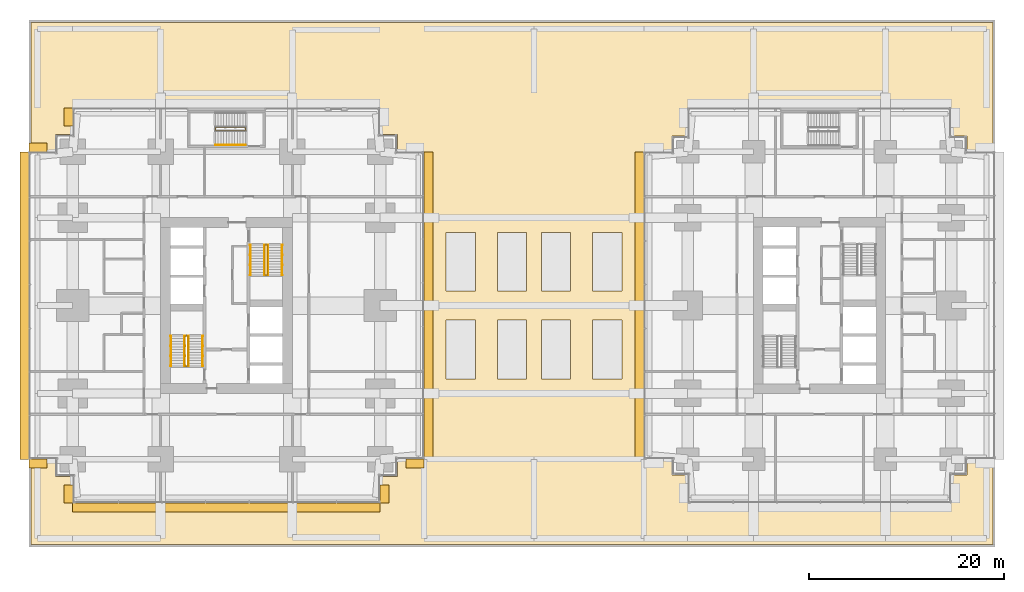
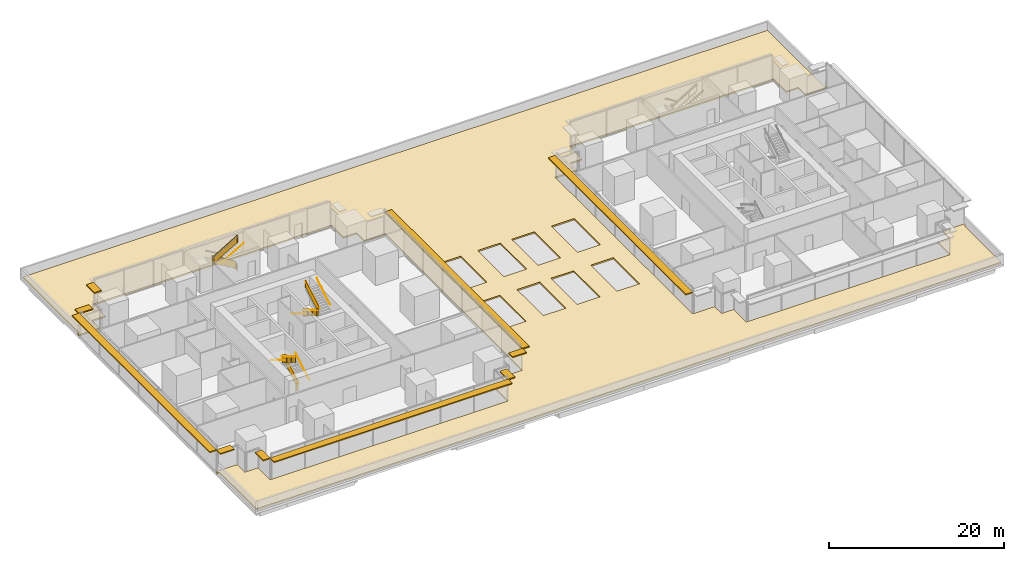
# One storey, part 32 of 34: 12 railings, 10 shading devices, 1 covering.
"""IFC4 building model written with IfcOpenShell, lengths in metres."""

from ifc_helpers import new_model, si_unit, direction, frame, origin, origin_2d, place, context, subcontext, project, spatial, polyline, rectangle, circle, outline, extrude, material, layer, layer_set, type_object, element, save


model = new_model("IFC4")

# Units and contexts
model_context = context("Model", 3, precision=1e-05, world=origin(), true_north=direction((0.0, 1.0)))
body_context = subcontext(model_context, "Body", "Model", "MODEL_VIEW")
ifc_project = project(units=[si_unit("LENGTHUNIT", "METRE"), si_unit("AREAUNIT", "SQUARE_METRE"), si_unit("VOLUMEUNIT", "CUBIC_METRE"), si_unit("PLANEANGLEUNIT", "RADIAN"), si_unit("MASSUNIT", "GRAM", prefix="KILO")], contexts=[model_context])

# Site, building, storey
site_placement = place(None, origin())
site = spatial("IfcSite", under=ifc_project, at=site_placement, CompositionType="ELEMENT")
building_placement = place(site_placement, origin())
building = spatial("IfcBuilding", under=site, at=building_placement, Name="Namib Vertical Campus", CompositionType="ELEMENT")
storey_placement = place(building_placement, frame((0.0, 0.0, 21.0)))
storey = spatial("IfcBuildingStorey", under=building, at=storey_placement, Name="L04", CompositionType="ELEMENT", Elevation=21.0)

# Railings
ifc_material_1 = material(Name="Steel handrail", Category="steel")
railing_type_1 = type_object("IfcRailingType", Name="Handrail 900", PredefinedType="HANDRAIL", material=ifc_material_1)
railing_1_placement = place(storey_placement, frame((17.800048828125, 14.050048828125, 0.166748046875)))
element("IfcRailing", 1, at=railing_1_placement, inside=storey, type_object=railing_type_1, Name="Handrail HR1 A-S1 L04 1", PredefinedType="HANDRAIL", context=body_context, shape_type="SweptSolid", body=[
    extrude(circle(Radius=0.02392578125, at=origin_2d()), frame((0.0, 0.0, 0.8759765625), z_axis=(0.0, 0.859290745958, 0.51148745235), x_axis=(-1.0, 0.0, 0.0)), (0.0, 0.0, 1.0), 3.584228515625),
    extrude(circle(Radius=0.008056640625, at=origin_2d()), frame((0.0, 0.0, 0.8759765625), z_axis=(1.0, 0.0, 0.0), x_axis=(0.0, 0.0, 1.0)), (0.0, 0.0, 1.0), 0.050048828125),
    extrude(circle(Radius=0.008056640625, at=origin_2d()), frame((0.0, 1.026611328125, 1.48681640625), z_axis=(1.0, 0.0, 0.0), x_axis=(0.0, 0.0, 1.0)), (0.0, 0.0, 1.0), 0.050048828125),
    extrude(circle(Radius=0.008056640625, at=origin_2d()), frame((0.0, 2.05322265625, 2.09814453125), z_axis=(1.0, 0.0, 0.0), x_axis=(0.0, 0.0, 1.0)), (0.0, 0.0, 1.0), 0.050048828125),
    extrude(circle(Radius=0.008056640625, at=origin_2d()), frame((0.0, 3.079833984375, 2.708984375), z_axis=(1.0, 0.0, 0.0), x_axis=(0.0, 0.0, 1.0)), (0.0, 0.0, 1.0), 0.050048828125),
])
railing_2_placement = place(storey_placement, frame((14.550048828125, 17.1298828125, 2.166748046875)))
element("IfcRailing", 2, at=railing_2_placement, inside=storey, type_object=railing_type_1, Name="Handrail HR1 A-S1 L04 2", PredefinedType="HANDRAIL", context=body_context, shape_type="SweptSolid", body=[
    extrude(circle(Radius=0.02392578125, at=origin_2d()), frame((0.0, 0.0, 0.8759765625), z_axis=(0.0, -0.859290745958, 0.51148745235), x_axis=(1.0, 0.0, 0.0)), (0.0, 0.0, 1.0), 3.584228515625),
    extrude(circle(Radius=0.008056640625, at=origin_2d()), frame((0.0, 0.0, 0.8759765625), z_axis=(-1.0, 0.0, 0.0), x_axis=(0.0, 0.0, 1.0)), (0.0, 0.0, 1.0), 0.050048828125),
    extrude(circle(Radius=0.008056640625, at=origin_2d()), frame((0.0, -1.026611328125, 1.48681640625), z_axis=(-1.0, 0.0, 0.0), x_axis=(0.0, 0.0, 1.0)), (0.0, 0.0, 1.0), 0.050048828125),
    extrude(circle(Radius=0.008056640625, at=origin_2d()), frame((0.0, -2.05322265625, 2.09814453125), z_axis=(-1.0, 0.0, 0.0), x_axis=(0.0, 0.0, 1.0)), (0.0, 0.0, 1.0), 0.050048828125),
    extrude(circle(Radius=0.008056640625, at=origin_2d()), frame((0.0, -3.079833984375, 2.708984375), z_axis=(-1.0, 0.0, 0.0), x_axis=(0.0, 0.0, 1.0)), (0.0, 0.0, 1.0), 0.050048828125),
])
railing_3_placement = place(storey_placement, frame((16.375, 14.050048828125, 0.166748046875)))
element("IfcRailing", 3, at=railing_3_placement, inside=storey, type_object=railing_type_1, Name="Handrail HR1 A-S1 L04 1 at the well", PredefinedType="HANDRAIL", context=body_context, shape_type="SweptSolid", body=[
    extrude(circle(Radius=0.02392578125, at=origin_2d()), frame((0.0, 0.0, 0.8759765625), z_axis=(0.0, 0.859290745958, 0.51148745235), x_axis=(-1.0, 0.0, 0.0)), (0.0, 0.0, 1.0), 3.584228515625),
    extrude(circle(Radius=0.008056640625, at=origin_2d()), frame((0.0, 0.0, 0.8759765625), z_axis=(-1.0, 0.0, 0.0), x_axis=(0.0, 0.0, 1.0)), (0.0, 0.0, 1.0), 0.0400390625),
    extrude(circle(Radius=0.008056640625, at=origin_2d()), frame((0.0, 1.026611328125, 1.48681640625), z_axis=(-1.0, 0.0, 0.0), x_axis=(0.0, 0.0, 1.0)), (0.0, 0.0, 1.0), 0.0400390625),
    extrude(circle(Radius=0.008056640625, at=origin_2d()), frame((0.0, 2.05322265625, 2.09814453125), z_axis=(-1.0, 0.0, 0.0), x_axis=(0.0, 0.0, 1.0)), (0.0, 0.0, 1.0), 0.0400390625),
    extrude(circle(Radius=0.008056640625, at=origin_2d()), frame((0.0, 3.079833984375, 2.708984375), z_axis=(-1.0, 0.0, 0.0), x_axis=(0.0, 0.0, 1.0)), (0.0, 0.0, 1.0), 0.0400390625),
])
railing_4_placement = place(storey_placement, frame((15.97509765625, 17.1298828125, 2.166748046875)))
element("IfcRailing", 4, at=railing_4_placement, inside=storey, type_object=railing_type_1, Name="Handrail HR1 A-S1 L04 2 at the well", PredefinedType="HANDRAIL", context=body_context, shape_type="SweptSolid", body=[
    extrude(circle(Radius=0.02392578125, at=origin_2d()), frame((0.0, 0.0, 0.8759765625), z_axis=(0.0, -0.859290745958, 0.51148745235), x_axis=(1.0, 0.0, 0.0)), (0.0, 0.0, 1.0), 3.584228515625),
    extrude(circle(Radius=0.008056640625, at=origin_2d()), frame((0.0, 0.0, 0.8759765625), z_axis=(1.0, 0.0, 0.0), x_axis=(0.0, 0.0, 1.0)), (0.0, 0.0, 1.0), 0.0400390625),
    extrude(circle(Radius=0.008056640625, at=origin_2d()), frame((0.0, -1.026611328125, 1.48681640625), z_axis=(1.0, 0.0, 0.0), x_axis=(0.0, 0.0, 1.0)), (0.0, 0.0, 1.0), 0.0400390625),
    extrude(circle(Radius=0.008056640625, at=origin_2d()), frame((0.0, -2.05322265625, 2.09814453125), z_axis=(1.0, 0.0, 0.0), x_axis=(0.0, 0.0, 1.0)), (0.0, 0.0, 1.0), 0.0400390625),
    extrude(circle(Radius=0.008056640625, at=origin_2d()), frame((0.0, -3.079833984375, 2.708984375), z_axis=(1.0, 0.0, 0.0), x_axis=(0.0, 0.0, 1.0)), (0.0, 0.0, 1.0), 0.0400390625),
])
railing_5_placement = place(storey_placement, frame((22.699951171875, 26.449951171875, 0.166748046875)))
element("IfcRailing", 5, at=railing_5_placement, inside=storey, type_object=railing_type_1, Name="Handrail HR1 A-S2 L04 1", PredefinedType="HANDRAIL", context=body_context, shape_type="SweptSolid", body=[
    extrude(circle(Radius=0.02392578125, at=origin_2d()), frame((0.0, 0.0, 0.8759765625), z_axis=(0.0, -0.859290745958, 0.51148745235), x_axis=(1.0, 0.0, 0.0)), (0.0, 0.0, 1.0), 3.584228515625),
    extrude(circle(Radius=0.008056640625, at=origin_2d()), frame((0.0, 0.0, 0.8759765625), z_axis=(-1.0, 0.0, 0.0), x_axis=(0.0, 0.0, 1.0)), (0.0, 0.0, 1.0), 0.050048828125),
    extrude(circle(Radius=0.008056640625, at=origin_2d()), frame((0.0, -1.026611328125, 1.48681640625), z_axis=(-1.0, 0.0, 0.0), x_axis=(0.0, 0.0, 1.0)), (0.0, 0.0, 1.0), 0.050048828125),
    extrude(circle(Radius=0.008056640625, at=origin_2d()), frame((0.0, -2.05322265625, 2.09814453125), z_axis=(-1.0, 0.0, 0.0), x_axis=(0.0, 0.0, 1.0)), (0.0, 0.0, 1.0), 0.050048828125),
    extrude(circle(Radius=0.008056640625, at=origin_2d()), frame((0.0, -3.079833984375, 2.708984375), z_axis=(-1.0, 0.0, 0.0), x_axis=(0.0, 0.0, 1.0)), (0.0, 0.0, 1.0), 0.050048828125),
])
railing_6_placement = place(storey_placement, frame((25.949951171875, 23.3701171875, 2.166748046875)))
element("IfcRailing", 6, at=railing_6_placement, inside=storey, type_object=railing_type_1, Name="Handrail HR1 A-S2 L04 2", PredefinedType="HANDRAIL", context=body_context, shape_type="SweptSolid", body=[
    extrude(circle(Radius=0.02392578125, at=origin_2d()), frame((0.0, 0.0, 0.8759765625), z_axis=(0.0, 0.859290745958, 0.51148745235), x_axis=(-1.0, 0.0, 0.0)), (0.0, 0.0, 1.0), 3.584228515625),
    extrude(circle(Radius=0.008056640625, at=origin_2d()), frame((0.0, 0.0, 0.8759765625), z_axis=(1.0, 0.0, 0.0), x_axis=(0.0, 0.0, 1.0)), (0.0, 0.0, 1.0), 0.050048828125),
    extrude(circle(Radius=0.008056640625, at=origin_2d()), frame((0.0, 1.026611328125, 1.48681640625), z_axis=(1.0, 0.0, 0.0), x_axis=(0.0, 0.0, 1.0)), (0.0, 0.0, 1.0), 0.050048828125),
    extrude(circle(Radius=0.008056640625, at=origin_2d()), frame((0.0, 2.05322265625, 2.09814453125), z_axis=(1.0, 0.0, 0.0), x_axis=(0.0, 0.0, 1.0)), (0.0, 0.0, 1.0), 0.050048828125),
    extrude(circle(Radius=0.008056640625, at=origin_2d()), frame((0.0, 3.079833984375, 2.708984375), z_axis=(1.0, 0.0, 0.0), x_axis=(0.0, 0.0, 1.0)), (0.0, 0.0, 1.0), 0.050048828125),
])
railing_7_placement = place(storey_placement, frame((24.125, 26.449951171875, 0.166748046875)))
element("IfcRailing", 7, at=railing_7_placement, inside=storey, type_object=railing_type_1, Name="Handrail HR1 A-S2 L04 1 at the well", PredefinedType="HANDRAIL", context=body_context, shape_type="SweptSolid", body=[
    extrude(circle(Radius=0.02392578125, at=origin_2d()), frame((0.0, 0.0, 0.8759765625), z_axis=(0.0, -0.859290745958, 0.51148745235), x_axis=(1.0, 0.0, 0.0)), (0.0, 0.0, 1.0), 3.584228515625),
    extrude(circle(Radius=0.008056640625, at=origin_2d()), frame((0.0, 0.0, 0.8759765625), z_axis=(1.0, 0.0, 0.0), x_axis=(0.0, 0.0, 1.0)), (0.0, 0.0, 1.0), 0.0400390625),
    extrude(circle(Radius=0.008056640625, at=origin_2d()), frame((0.0, -1.026611328125, 1.48681640625), z_axis=(1.0, 0.0, 0.0), x_axis=(0.0, 0.0, 1.0)), (0.0, 0.0, 1.0), 0.0400390625),
    extrude(circle(Radius=0.008056640625, at=origin_2d()), frame((0.0, -2.05322265625, 2.09814453125), z_axis=(1.0, 0.0, 0.0), x_axis=(0.0, 0.0, 1.0)), (0.0, 0.0, 1.0), 0.0400390625),
    extrude(circle(Radius=0.008056640625, at=origin_2d()), frame((0.0, -3.079833984375, 2.708984375), z_axis=(1.0, 0.0, 0.0), x_axis=(0.0, 0.0, 1.0)), (0.0, 0.0, 1.0), 0.0400390625),
])
railing_8_placement = place(storey_placement, frame((24.52490234375, 23.3701171875, 2.166748046875)))
element("IfcRailing", 8, at=railing_8_placement, inside=storey, type_object=railing_type_1, Name="Handrail HR1 A-S2 L04 2 at the well", PredefinedType="HANDRAIL", context=body_context, shape_type="SweptSolid", body=[
    extrude(circle(Radius=0.02392578125, at=origin_2d()), frame((0.0, 0.0, 0.8759765625), z_axis=(0.0, 0.859290745958, 0.51148745235), x_axis=(-1.0, 0.0, 0.0)), (0.0, 0.0, 1.0), 3.584228515625),
    extrude(circle(Radius=0.008056640625, at=origin_2d()), frame((0.0, 0.0, 0.8759765625), z_axis=(-1.0, 0.0, 0.0), x_axis=(0.0, 0.0, 1.0)), (0.0, 0.0, 1.0), 0.0400390625),
    extrude(circle(Radius=0.008056640625, at=origin_2d()), frame((0.0, 1.026611328125, 1.48681640625), z_axis=(-1.0, 0.0, 0.0), x_axis=(0.0, 0.0, 1.0)), (0.0, 0.0, 1.0), 0.0400390625),
    extrude(circle(Radius=0.008056640625, at=origin_2d()), frame((0.0, 2.05322265625, 2.09814453125), z_axis=(-1.0, 0.0, 0.0), x_axis=(0.0, 0.0, 1.0)), (0.0, 0.0, 1.0), 0.0400390625),
    extrude(circle(Radius=0.008056640625, at=origin_2d()), frame((0.0, 3.079833984375, 2.708984375), z_axis=(-1.0, 0.0, 0.0), x_axis=(0.0, 0.0, 1.0)), (0.0, 0.0, 1.0), 0.0400390625),
])
railing_9_placement = place(storey_placement, frame((19.1201171875, 36.699951171875, 2.166748046875)))
element("IfcRailing", 9, at=railing_9_placement, inside=storey, type_object=railing_type_1, Name="Handrail HR1 A-S3 L04 2", PredefinedType="HANDRAIL", context=body_context, shape_type="SweptSolid", body=[
    extrude(circle(Radius=0.02392578125, at=origin_2d()), frame((0.0, 0.0, 0.8759765625), z_axis=(0.859290745958, 0.0, 0.51148745235), x_axis=(0.0, 1.0, 0.0)), (0.0, 0.0, 1.0), 3.584228515625),
    extrude(circle(Radius=0.008056640625, at=origin_2d()), frame((0.0, 0.0, 0.8759765625), z_axis=(0.0, -1.0, 0.0), x_axis=(0.0, 0.0, 1.0)), (0.0, 0.0, 1.0), 0.050048828125),
    extrude(circle(Radius=0.008056640625, at=origin_2d()), frame((1.026611328125, 0.0, 1.48681640625), z_axis=(0.0, -1.0, 0.0), x_axis=(0.0, 0.0, 1.0)), (0.0, 0.0, 1.0), 0.050048828125),
    extrude(circle(Radius=0.008056640625, at=origin_2d()), frame((2.05322265625, 0.0, 2.09814453125), z_axis=(0.0, -1.0, 0.0), x_axis=(0.0, 0.0, 1.0)), (0.0, 0.0, 1.0), 0.050048828125),
    extrude(circle(Radius=0.008056640625, at=origin_2d()), frame((3.079833984375, 0.0, 2.708984375), z_axis=(0.0, -1.0, 0.0), x_axis=(0.0, 0.0, 1.0)), (0.0, 0.0, 1.0), 0.050048828125),
])

# Covering
ifc_material_2 = material(Name="Inverted roof: paving slabs on pedestals over 120 mm extruded polystyrene on a hot-applied waterproofing membrane", Category="insulation")
ifc_layer_1 = layer(ifc_material_2, 0.199951171875)
ifc_layer_set_1 = layer_set([ifc_layer_1], Name="Inverted roof build-up 200")
covering_type = type_object("IfcCoveringType", Name="Inverted roof build-up 200", PredefinedType="ROOFING", material=ifc_layer_set_1)
covering_placement = place(storey_placement, origin())
element("IfcCovering", 10, at=covering_placement, inside=storey, type_object=covering_type, Name="Roof build-up RC2 podium roof 1", PredefinedType="ROOFING", context=body_context, shape_type="SweptSolid", body=[
    extrude(outline(polyline([(0.0, 4.5), (0.0, 4.199951171875), (0.25, 4.199951171875), (0.25, -4.25), (98.75, -4.25), (98.75, 4.199951171875), (99.0, 4.199951171875), (99.0, 4.5), (96.10009765625, 4.5), (96.10009765625, 2.89990234375), (94.5, 2.89990234375), (94.5, 0.0), (67.5, 0.0), (67.5, 2.89990234375), (65.89990234375, 2.89990234375), (65.89990234375, 4.5), (63.0, 4.5), (63.0, 36.0), (65.89990234375, 36.0), (65.89990234375, 37.60009765625), (67.5, 37.60009765625), (67.5, 40.5), (94.5, 40.5), (94.5, 37.60009765625), (96.10009765625, 37.60009765625), (96.10009765625, 36.0), (99.0, 36.0), (99.0, 36.300048828125), (98.75, 36.300048828125), (98.75, 49.25), (0.25, 49.25), (0.25, 36.300048828125), (0.0, 36.300048828125), (0.0, 36.0), (2.75, 36.0), (2.75, 37.75), (4.5, 37.75), (4.5, 40.5), (30.375, 40.5), (30.375, 40.550048828125), (32.625, 40.550048828125), (32.625, 40.5), (36.0, 40.5), (36.0, 37.75), (37.75, 37.75), (37.75, 36.0), (40.5, 36.0), (40.5, 4.5), (37.75, 4.5), (37.75, 2.75), (36.0, 2.75), (36.0, 0.0), (4.5, 0.0), (4.5, 2.75), (2.75, 2.75), (2.75, 4.5), (0.0, 4.5)]), holes=[polyline([(57.75, 18.75), (60.75, 18.75), (60.75, 12.75), (57.75, 12.75), (57.75, 18.75)]), polyline([(57.75, 27.75), (60.75, 27.75), (60.75, 21.75), (57.75, 21.75), (57.75, 27.75)]), polyline([(55.5, 18.75), (55.5, 12.75), (52.5, 12.75), (52.5, 18.75), (55.5, 18.75)]), polyline([(55.5, 27.75), (55.5, 21.75), (52.5, 21.75), (52.5, 27.75), (55.5, 27.75)]), polyline([(51.0, 18.75), (51.0, 12.75), (48.0, 12.75), (48.0, 18.75), (51.0, 18.75)]), polyline([(51.0, 27.75), (51.0, 21.75), (48.0, 21.75), (48.0, 27.75), (51.0, 27.75)]), polyline([(45.75, 18.75), (45.75, 12.75), (42.75, 12.75), (42.75, 18.75), (45.75, 18.75)]), polyline([(45.75, 27.75), (45.75, 21.75), (42.75, 21.75), (42.75, 27.75), (45.75, 27.75)])]), origin(), (0.0, 0.0, 1.0), 0.199951171875),
])

# Railings
ifc_material_3 = material(Name="Steel balustrade", Category="steel")
railing_type_2 = type_object("IfcRailingType", Name="Stair guard 1100", PredefinedType="GUARDRAIL", material=ifc_material_3)
railing_10_placement = place(storey_placement, frame((16.02490234375, 14.050048828125, 0.0)))
element("IfcRailing", 11, at=railing_10_placement, inside=storey, type_object=railing_type_2, Name="Stair guard GR1 A-S1 L04", PredefinedType="GUARDRAIL", context=body_context, shape_type="SweptSolid", body=[
    extrude(circle(Radius=0.02392578125, at=origin_2d()), frame((0.0, 0.0, 1.076171875), z_axis=(1.0, 0.0, 0.0), x_axis=(0.0, 1.0, 0.0)), (0.0, 0.0, 1.0), 0.300048828125),
    extrude(outline(polyline([(0.02099609375, 0.050048828125), (0.279052734375, 0.050048828125), (0.279052734375, 1.052001953125), (0.02099609375, 1.052001953125), (0.02099609375, 0.050048828125)])), frame((0.0, 0.010009765625, 0.0), z_axis=(0.0, -1.0, 0.0), x_axis=(1.0, 0.0, 0.0)), (0.0, 0.0, 1.0), 0.02001953125),
    extrude(circle(Radius=0.02392578125, at=origin_2d()), frame((0.300048828125, 0.0, 1.076171875), z_axis=(0.0, 0.0, 1.0), x_axis=(1.0, 0.0, 0.0)), (0.0, 0.0, 1.0), 0.166748046875),
    extrude(circle(Radius=0.02392578125, at=origin_2d()), frame((0.300048828125, 0.0, 1.24267578125), z_axis=(0.0, 0.859290745958, 0.51148745235), x_axis=(-1.0, 0.0, 0.0)), (0.0, 0.0, 1.0), 3.584228515625),
    extrude(outline(polyline([(0.02099609375, 0.0625), (3.058837890625, 1.870849609375), (3.058837890625, 2.872802734375), (0.02099609375, 1.064453125), (0.02099609375, 0.0625)])), frame((0.2900390625, 0.0, 0.166748046875), z_axis=(1.0, 0.0, 0.0), x_axis=(0.0, 1.0, 0.0)), (0.0, 0.0, 1.0), 0.02001953125),
    extrude(circle(Radius=0.02392578125, at=origin_2d()), frame((0.300048828125, 3.079833984375, 3.076171875), z_axis=(-1.0, 0.0, 0.0), x_axis=(0.0, -1.0, 0.0)), (0.0, 0.0, 1.0), 0.300048828125),
    extrude(outline(polyline([(0.02099609375, 0.050048828125), (0.279052734375, 0.050048828125), (0.279052734375, 1.052001953125), (0.02099609375, 1.052001953125), (0.02099609375, 0.050048828125)])), frame((0.300048828125, 3.06982421875, 2.0), z_axis=(0.0, 1.0, 0.0), x_axis=(-1.0, 0.0, 0.0)), (0.0, 0.0, 1.0), 0.02001953125),
    extrude(circle(Radius=0.02392578125, at=origin_2d()), frame((0.0, 3.079833984375, 3.076171875), z_axis=(0.0, 0.0, 1.0), x_axis=(1.0, 0.0, 0.0)), (0.0, 0.0, 1.0), 0.166748046875),
    extrude(circle(Radius=0.02392578125, at=origin_2d()), frame((0.0, 3.079833984375, 3.24267578125), z_axis=(0.0, -0.859290745958, 0.51148745235), x_axis=(1.0, 0.0, 0.0)), (0.0, 0.0, 1.0), 3.584228515625),
    extrude(outline(polyline([(0.02099609375, 0.0625), (3.058837890625, 1.870849609375), (3.058837890625, 2.872802734375), (0.02099609375, 1.064453125), (0.02099609375, 0.0625)])), frame((0.010009765625, 3.079833984375, 2.166748046875), z_axis=(-1.0, 0.0, 0.0), x_axis=(0.0, -1.0, 0.0)), (0.0, 0.0, 1.0), 0.02001953125),
    extrude(circle(Radius=0.02392578125, at=origin_2d()), frame((0.0, 0.0, 5.076171875), z_axis=(0.0, -1.0, 0.0), x_axis=(1.0, 0.0, 0.0)), (0.0, 0.0, 1.0), 0.050048828125),
    extrude(outline(polyline([(0.02099609375, 0.050048828125), (0.029052734375, 0.050048828125), (0.029052734375, 1.052001953125), (0.02099609375, 1.052001953125), (0.02099609375, 0.050048828125)])), frame((0.010009765625, 0.0, 4.0), z_axis=(-1.0, 0.0, 0.0), x_axis=(0.0, -1.0, 0.0)), (0.0, 0.0, 1.0), 0.02001953125),
    extrude(circle(Radius=0.02099609375, at=origin_2d()), origin(), (0.0, 0.0, 1.0), 1.052001953125),
    extrude(circle(Radius=0.02099609375, at=origin_2d()), frame((0.300048828125, 0.0, 0.166748046875)), (0.0, 0.0, 1.0), 1.052001953125),
    extrude(circle(Radius=0.02099609375, at=origin_2d()), frame((0.300048828125, 1.026611328125, 0.666748046875)), (0.0, 0.0, 1.0), 1.1630859375),
    extrude(circle(Radius=0.02099609375, at=origin_2d()), frame((0.300048828125, 2.05322265625, 1.33349609375)), (0.0, 0.0, 1.0), 1.107421875),
    extrude(circle(Radius=0.02099609375, at=origin_2d()), frame((0.300048828125, 3.079833984375, 2.0)), (0.0, 0.0, 1.0), 1.052001953125),
    extrude(circle(Radius=0.02099609375, at=origin_2d()), frame((0.0, 3.079833984375, 2.166748046875)), (0.0, 0.0, 1.0), 1.052001953125),
    extrude(circle(Radius=0.02099609375, at=origin_2d()), frame((0.0, 2.05322265625, 2.666748046875)), (0.0, 0.0, 1.0), 1.1630859375),
    extrude(circle(Radius=0.02099609375, at=origin_2d()), frame((0.0, 1.026611328125, 3.33349609375)), (0.0, 0.0, 1.0), 1.107421875),
    extrude(circle(Radius=0.02099609375, at=origin_2d()), frame((0.0, 0.0, 4.0)), (0.0, 0.0, 1.0), 1.052001953125),
    extrude(circle(Radius=0.02099609375, at=origin_2d()), frame((0.0, -0.050048828125, 4.0)), (0.0, 0.0, 1.0), 1.052001953125),
])
railing_11_placement = place(storey_placement, frame((24.47509765625, 26.449951171875, 0.0)))
element("IfcRailing", 12, at=railing_11_placement, inside=storey, type_object=railing_type_2, Name="Stair guard GR1 A-S2 L04", PredefinedType="GUARDRAIL", context=body_context, shape_type="SweptSolid", body=[
    extrude(circle(Radius=0.02392578125, at=origin_2d()), frame((0.0, 0.0, 1.076171875), z_axis=(-1.0, 0.0, 0.0), x_axis=(0.0, -1.0, 0.0)), (0.0, 0.0, 1.0), 0.300048828125),
    extrude(outline(polyline([(0.02099609375, 0.050048828125), (0.279052734375, 0.050048828125), (0.279052734375, 1.052001953125), (0.02099609375, 1.052001953125), (0.02099609375, 0.050048828125)])), frame((0.0, -0.010009765625, 0.0), z_axis=(0.0, 1.0, 0.0), x_axis=(-1.0, 0.0, 0.0)), (0.0, 0.0, 1.0), 0.02001953125),
    extrude(circle(Radius=0.02392578125, at=origin_2d()), frame((-0.300048828125, 0.0, 1.076171875), z_axis=(0.0, 0.0, 1.0), x_axis=(1.0, 0.0, 0.0)), (0.0, 0.0, 1.0), 0.166748046875),
    extrude(circle(Radius=0.02392578125, at=origin_2d()), frame((-0.300048828125, 0.0, 1.24267578125), z_axis=(0.0, -0.859290745958, 0.51148745235), x_axis=(1.0, 0.0, 0.0)), (0.0, 0.0, 1.0), 3.584228515625),
    extrude(outline(polyline([(0.02099609375, 0.0625), (3.058837890625, 1.870849609375), (3.058837890625, 2.872802734375), (0.02099609375, 1.064453125), (0.02099609375, 0.0625)])), frame((-0.2900390625, 0.0, 0.166748046875), z_axis=(-1.0, 0.0, 0.0), x_axis=(0.0, -1.0, 0.0)), (0.0, 0.0, 1.0), 0.02001953125),
    extrude(circle(Radius=0.02392578125, at=origin_2d()), frame((-0.300048828125, -3.079833984375, 3.076171875), z_axis=(1.0, 0.0, 0.0), x_axis=(0.0, 1.0, 0.0)), (0.0, 0.0, 1.0), 0.300048828125),
    extrude(outline(polyline([(0.02099609375, 0.050048828125), (0.279052734375, 0.050048828125), (0.279052734375, 1.052001953125), (0.02099609375, 1.052001953125), (0.02099609375, 0.050048828125)])), frame((-0.300048828125, -3.06982421875, 2.0), z_axis=(0.0, -1.0, 0.0), x_axis=(1.0, 0.0, 0.0)), (0.0, 0.0, 1.0), 0.02001953125),
    extrude(circle(Radius=0.02392578125, at=origin_2d()), frame((0.0, -3.079833984375, 3.076171875), z_axis=(0.0, 0.0, 1.0), x_axis=(1.0, 0.0, 0.0)), (0.0, 0.0, 1.0), 0.166748046875),
    extrude(circle(Radius=0.02392578125, at=origin_2d()), frame((0.0, -3.079833984375, 3.24267578125), z_axis=(0.0, 0.859290745958, 0.51148745235), x_axis=(-1.0, 0.0, 0.0)), (0.0, 0.0, 1.0), 3.584228515625),
    extrude(outline(polyline([(0.02099609375, 0.0625), (3.058837890625, 1.870849609375), (3.058837890625, 2.872802734375), (0.02099609375, 1.064453125), (0.02099609375, 0.0625)])), frame((-0.010009765625, -3.079833984375, 2.166748046875), z_axis=(1.0, 0.0, 0.0), x_axis=(0.0, 1.0, 0.0)), (0.0, 0.0, 1.0), 0.02001953125),
    extrude(circle(Radius=0.02392578125, at=origin_2d()), frame((0.0, 0.0, 5.076171875), z_axis=(0.0, 1.0, 0.0), x_axis=(-1.0, 0.0, 0.0)), (0.0, 0.0, 1.0), 0.050048828125),
    extrude(outline(polyline([(0.02099609375, 0.050048828125), (0.029052734375, 0.050048828125), (0.029052734375, 1.052001953125), (0.02099609375, 1.052001953125), (0.02099609375, 0.050048828125)])), frame((-0.010009765625, 0.0, 4.0), z_axis=(1.0, 0.0, 0.0), x_axis=(0.0, 1.0, 0.0)), (0.0, 0.0, 1.0), 0.02001953125),
    extrude(circle(Radius=0.02099609375, at=origin_2d()), origin(), (0.0, 0.0, 1.0), 1.052001953125),
    extrude(circle(Radius=0.02099609375, at=origin_2d()), frame((-0.300048828125, 0.0, 0.166748046875)), (0.0, 0.0, 1.0), 1.052001953125),
    extrude(circle(Radius=0.02099609375, at=origin_2d()), frame((-0.300048828125, -1.026611328125, 0.666748046875)), (0.0, 0.0, 1.0), 1.1630859375),
    extrude(circle(Radius=0.02099609375, at=origin_2d()), frame((-0.300048828125, -2.05322265625, 1.33349609375)), (0.0, 0.0, 1.0), 1.107421875),
    extrude(circle(Radius=0.02099609375, at=origin_2d()), frame((-0.300048828125, -3.079833984375, 2.0)), (0.0, 0.0, 1.0), 1.052001953125),
    extrude(circle(Radius=0.02099609375, at=origin_2d()), frame((0.0, -3.079833984375, 2.166748046875)), (0.0, 0.0, 1.0), 1.052001953125),
    extrude(circle(Radius=0.02099609375, at=origin_2d()), frame((0.0, -2.05322265625, 2.666748046875)), (0.0, 0.0, 1.0), 1.1630859375),
    extrude(circle(Radius=0.02099609375, at=origin_2d()), frame((0.0, -1.026611328125, 3.33349609375)), (0.0, 0.0, 1.0), 1.107421875),
    extrude(circle(Radius=0.02099609375, at=origin_2d()), frame((0.0, 0.0, 4.0)), (0.0, 0.0, 1.0), 1.052001953125),
    extrude(circle(Radius=0.02099609375, at=origin_2d()), frame((0.0, 0.050048828125, 4.0)), (0.0, 0.0, 1.0), 1.052001953125),
])
railing_12_placement = place(storey_placement, frame((22.199951171875, 38.175048828125, 0.0)))
element("IfcRailing", 13, at=railing_12_placement, inside=storey, type_object=railing_type_2, Name="Stair guard GR1 A-S3 L04", PredefinedType="GUARDRAIL", context=body_context, shape_type="SweptSolid", body=[
    extrude(circle(Radius=0.02392578125, at=origin_2d()), frame((0.0, 0.0, 1.076171875), z_axis=(0.0, 1.0, 0.0), x_axis=(-1.0, 0.0, 0.0)), (0.0, 0.0, 1.0), 0.300048828125),
    extrude(outline(polyline([(0.02099609375, 0.050048828125), (0.279052734375, 0.050048828125), (0.279052734375, 1.052001953125), (0.02099609375, 1.052001953125), (0.02099609375, 0.050048828125)])), frame((-0.010009765625, 0.0, 0.0), z_axis=(1.0, 0.0, 0.0), x_axis=(0.0, 1.0, 0.0)), (0.0, 0.0, 1.0), 0.02001953125),
    extrude(circle(Radius=0.02392578125, at=origin_2d()), frame((0.0, 0.300048828125, 1.076171875), z_axis=(0.0, 0.0, 1.0), x_axis=(1.0, 0.0, 0.0)), (0.0, 0.0, 1.0), 0.166748046875),
    extrude(circle(Radius=0.02392578125, at=origin_2d()), frame((0.0, 0.300048828125, 1.24267578125), z_axis=(-0.859290745958, 0.0, 0.51148745235), x_axis=(0.0, -1.0, 0.0)), (0.0, 0.0, 1.0), 3.584228515625),
    extrude(outline(polyline([(0.02099609375, 0.0625), (3.058837890625, 1.870849609375), (3.058837890625, 2.872802734375), (0.02099609375, 1.064453125), (0.02099609375, 0.0625)])), frame((0.0, 0.2900390625, 0.166748046875), z_axis=(0.0, 1.0, 0.0), x_axis=(-1.0, 0.0, 0.0)), (0.0, 0.0, 1.0), 0.02001953125),
    extrude(circle(Radius=0.02392578125, at=origin_2d()), frame((-3.079833984375, 0.300048828125, 3.076171875), z_axis=(0.0, -1.0, 0.0), x_axis=(1.0, 0.0, 0.0)), (0.0, 0.0, 1.0), 0.300048828125),
    extrude(outline(polyline([(0.02099609375, 0.050048828125), (0.279052734375, 0.050048828125), (0.279052734375, 1.052001953125), (0.02099609375, 1.052001953125), (0.02099609375, 0.050048828125)])), frame((-3.06982421875, 0.300048828125, 2.0), z_axis=(-1.0, 0.0, 0.0), x_axis=(0.0, -1.0, 0.0)), (0.0, 0.0, 1.0), 0.02001953125),
    extrude(circle(Radius=0.02392578125, at=origin_2d()), frame((-3.079833984375, 0.0, 3.076171875), z_axis=(0.0, 0.0, 1.0), x_axis=(1.0, 0.0, 0.0)), (0.0, 0.0, 1.0), 0.166748046875),
    extrude(circle(Radius=0.02392578125, at=origin_2d()), frame((-3.079833984375, 0.0, 3.24267578125), z_axis=(0.859290745958, 0.0, 0.51148745235), x_axis=(0.0, 1.0, 0.0)), (0.0, 0.0, 1.0), 3.584228515625),
    extrude(outline(polyline([(0.02099609375, 0.0625), (3.058837890625, 1.870849609375), (3.058837890625, 2.872802734375), (0.02099609375, 1.064453125), (0.02099609375, 0.0625)])), frame((-3.079833984375, 0.010009765625, 2.166748046875), z_axis=(0.0, -1.0, 0.0), x_axis=(1.0, 0.0, 0.0)), (0.0, 0.0, 1.0), 0.02001953125),
    extrude(circle(Radius=0.02392578125, at=origin_2d()), frame((0.0, 0.0, 5.076171875), z_axis=(1.0, 0.0, 0.0), x_axis=(0.0, 1.0, 0.0)), (0.0, 0.0, 1.0), 0.050048828125),
    extrude(outline(polyline([(0.02099609375, 0.050048828125), (0.029052734375, 0.050048828125), (0.029052734375, 1.052001953125), (0.02099609375, 1.052001953125), (0.02099609375, 0.050048828125)])), frame((0.0, 0.010009765625, 4.0), z_axis=(0.0, -1.0, 0.0), x_axis=(1.0, 0.0, 0.0)), (0.0, 0.0, 1.0), 0.02001953125),
    extrude(circle(Radius=0.02099609375, at=origin_2d()), origin(), (0.0, 0.0, 1.0), 1.052001953125),
    extrude(circle(Radius=0.02099609375, at=origin_2d()), frame((0.0, 0.300048828125, 0.166748046875)), (0.0, 0.0, 1.0), 1.052001953125),
    extrude(circle(Radius=0.02099609375, at=origin_2d()), frame((-1.026611328125, 0.300048828125, 0.666748046875)), (0.0, 0.0, 1.0), 1.1630859375),
    extrude(circle(Radius=0.02099609375, at=origin_2d()), frame((-2.05322265625, 0.300048828125, 1.33349609375)), (0.0, 0.0, 1.0), 1.107421875),
    extrude(circle(Radius=0.02099609375, at=origin_2d()), frame((-3.079833984375, 0.300048828125, 2.0)), (0.0, 0.0, 1.0), 1.052001953125),
    extrude(circle(Radius=0.02099609375, at=origin_2d()), frame((-3.079833984375, 0.0, 2.166748046875)), (0.0, 0.0, 1.0), 1.052001953125),
    extrude(circle(Radius=0.02099609375, at=origin_2d()), frame((-2.05322265625, 0.0, 2.666748046875)), (0.0, 0.0, 1.0), 1.1630859375),
    extrude(circle(Radius=0.02099609375, at=origin_2d()), frame((-1.026611328125, 0.0, 3.33349609375)), (0.0, 0.0, 1.0), 1.107421875),
    extrude(circle(Radius=0.02099609375, at=origin_2d()), frame((0.0, 0.0, 4.0)), (0.0, 0.0, 1.0), 1.052001953125),
    extrude(circle(Radius=0.02099609375, at=origin_2d()), frame((0.050048828125, 0.0, 4.0)), (0.0, 0.0, 1.0), 1.052001953125),
])

# Shading devices
ifc_material_4 = material(Name="Concrete C40/50 precast", Category="concrete")
ifc_layer_2 = layer(ifc_material_4, 0.14990234375)
ifc_layer_set_2 = layer_set([ifc_layer_2], Name="Concrete C40/50 precast")
shading_device_type = type_object("IfcShadingDeviceType", Name="Sunshade hood 900", PredefinedType="SHUTTER", material=ifc_layer_set_2)
shading_device_1_placement = place(storey_placement, frame((20.25, -0.43994140625, 3.10009765625), z_axis=(0.0, 0.0, 1.0), x_axis=(1.0, 0.0, 0.0)))
element("IfcShadingDevice", 14, at=shading_device_1_placement, inside=storey, type_object=shading_device_type, Name="Sunshade SH1 L04 1", PredefinedType="SHUTTER", context=body_context, shape_type="SweptSolid", body=[
    extrude(rectangle(XDim=31.5, YDim=0.919921875, at=origin_2d()), origin(), (0.0, 0.0, 1.0), 0.14990234375),
])
for number, where, z_axis, x_axis, name in (
    (15, (36.43994140625, 0.925048828125, 3.10009765625), (0.0, 0.0, 1.0), (0.0, 1.0, 0.0), "Sunshade SH1 L04 2"),
    (16, (39.574951171875, 4.06005859375, 3.10009765625), (0.0, 0.0, 1.0), (1.0, 0.0, 0.0), "Sunshade SH1 L04 5"),
):
    element("IfcShadingDevice", number, at=place(storey_placement, frame(where, z_axis=z_axis, x_axis=x_axis)), inside=storey, type_object=shading_device_type, Name=name, PredefinedType="SHUTTER", context=body_context, shape_type="SweptSolid", body=[
        extrude(rectangle(XDim=1.85009765625, YDim=0.919921875, at=origin_2d()), origin(), (0.0, 0.0, 1.0), 0.14990234375),
    ])
shading_device_2_placement = place(storey_placement, frame((40.93994140625, 20.25, 3.10009765625), z_axis=(0.0, 0.0, 1.0), x_axis=(0.0, 1.0, 0.0)))
element("IfcShadingDevice", 17, at=shading_device_2_placement, inside=storey, type_object=shading_device_type, Name="Sunshade SH1 L04 6", PredefinedType="SHUTTER", context=body_context, shape_type="SweptSolid", body=[
    extrude(rectangle(XDim=31.5, YDim=0.919921875, at=origin_2d()), origin(), (0.0, 0.0, 1.0), 0.14990234375),
])
for number, where, z_axis, x_axis, name in (
    (18, (4.06005859375, 39.574951171875, 3.10009765625), (0.0, 0.0, 1.0), (0.0, -1.0, 0.0), "Sunshade SH1 L04 12"),
    (19, (0.925048828125, 36.43994140625, 3.10009765625), (0.0, 0.0, 1.0), (-1.0, 0.0, 0.0), "Sunshade SH1 L04 15"),
):
    element("IfcShadingDevice", number, at=place(storey_placement, frame(where, z_axis=z_axis, x_axis=x_axis)), inside=storey, type_object=shading_device_type, Name=name, PredefinedType="SHUTTER", context=body_context, shape_type="SweptSolid", body=[
        extrude(rectangle(XDim=1.85009765625, YDim=0.919921875, at=origin_2d()), origin(), (0.0, 0.0, 1.0), 0.14990234375),
    ])
shading_device_3_placement = place(storey_placement, frame((-0.43994140625, 20.25, 3.10009765625), z_axis=(0.0, 0.0, 1.0), x_axis=(0.0, -1.0, 0.0)))
element("IfcShadingDevice", 20, at=shading_device_3_placement, inside=storey, type_object=shading_device_type, Name="Sunshade SH1 L04 16", PredefinedType="SHUTTER", context=body_context, shape_type="SweptSolid", body=[
    extrude(rectangle(XDim=31.5, YDim=0.919921875, at=origin_2d()), origin(), (0.0, 0.0, 1.0), 0.14990234375),
])
for number, where, z_axis, x_axis, name in (
    (21, (0.925048828125, 4.06005859375, 3.10009765625), (0.0, 0.0, 1.0), (1.0, 0.0, 0.0), "Sunshade SH1 L04 17"),
    (22, (4.06005859375, 0.925048828125, 3.10009765625), (0.0, 0.0, 1.0), (0.0, -1.0, 0.0), "Sunshade SH1 L04 20"),
):
    element("IfcShadingDevice", number, at=place(storey_placement, frame(where, z_axis=z_axis, x_axis=x_axis)), inside=storey, type_object=shading_device_type, Name=name, PredefinedType="SHUTTER", context=body_context, shape_type="SweptSolid", body=[
        extrude(rectangle(XDim=1.85009765625, YDim=0.919921875, at=origin_2d()), origin(), (0.0, 0.0, 1.0), 0.14990234375),
    ])
shading_device_4_placement = place(storey_placement, frame((62.56005859375, 20.25, 3.10009765625), z_axis=(0.0, 0.0, 1.0), x_axis=(0.0, -1.0, 0.0)))
element("IfcShadingDevice", 23, at=shading_device_4_placement, inside=storey, type_object=shading_device_type, Name="Sunshade SH1 L04 16", PredefinedType="SHUTTER", context=body_context, shape_type="SweptSolid", body=[
    extrude(rectangle(XDim=31.5, YDim=0.919921875, at=origin_2d()), origin(), (0.0, 0.0, 1.0), 0.14990234375),
])

save(model, "model.ifc")
